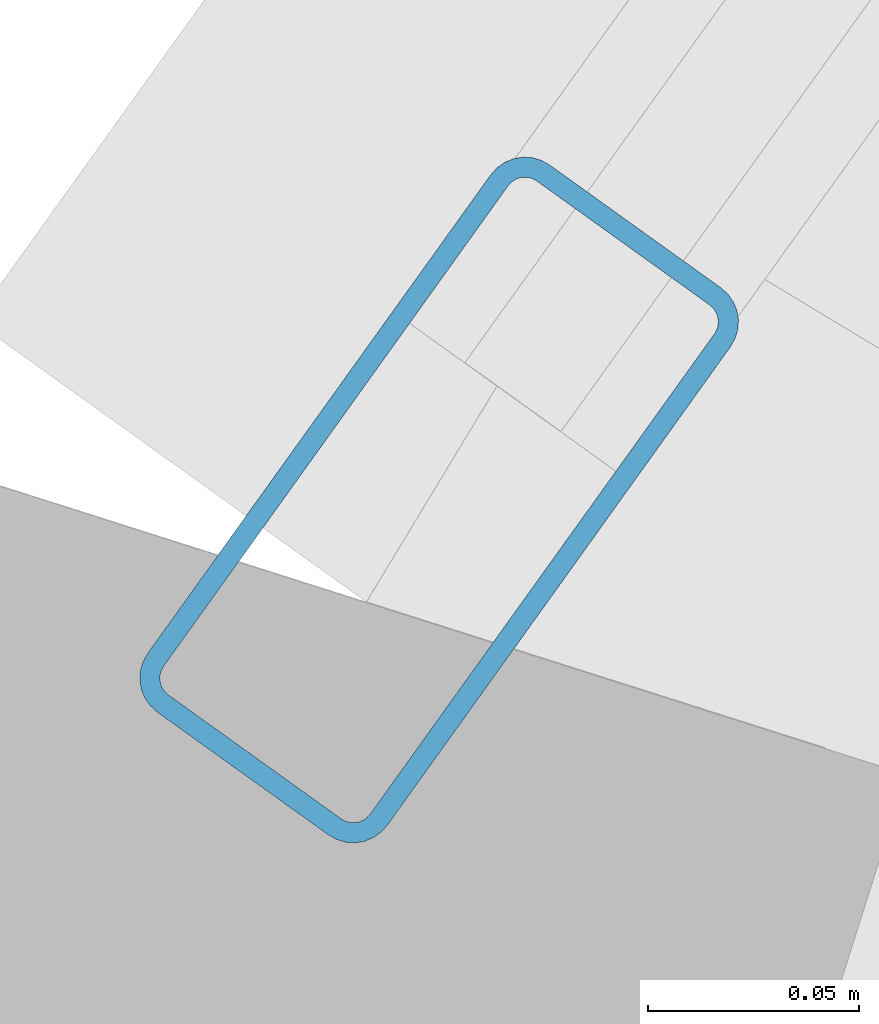
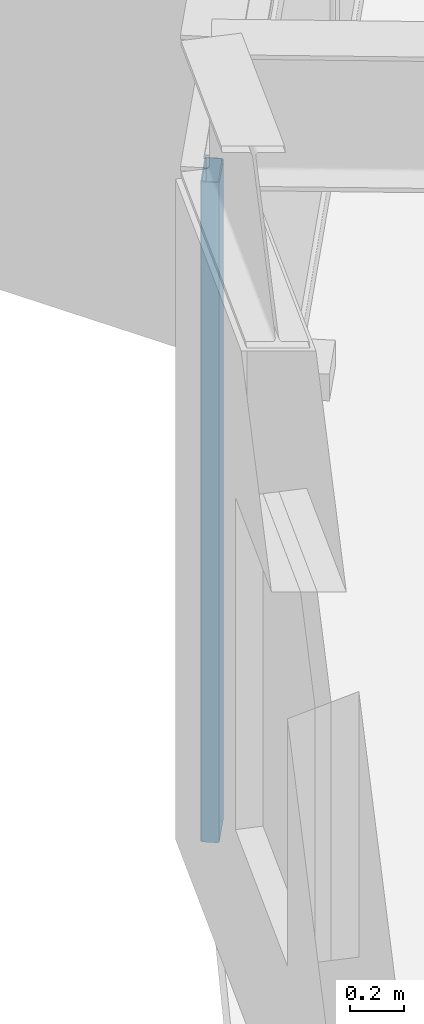
# One storey, part 8 of 27: 1 member, 1 element without a shape of its own.
"""IFC4 building model written with IfcOpenShell, lengths in metres."""

from ifc_helpers import new_model, si_unit, direction, frame, origin, origin_2d, place, context, subcontext, project, spatial, hollow_rectangle, extrude, material, layer, layer_set, material_profile, profile_set, type_object, element, aggregate, save


model = new_model("IFC4")

# Units and contexts
model_context = context("Model", 3, precision=1e-05, world=origin(), true_north=direction((0.0, 1.0)))
body_context = subcontext(model_context, "Body", "Model", "MODEL_VIEW")
ifc_project = project(units=[si_unit("LENGTHUNIT", "METRE"), si_unit("AREAUNIT", "SQUARE_METRE"), si_unit("VOLUMEUNIT", "CUBIC_METRE"), si_unit("PLANEANGLEUNIT", "RADIAN"), si_unit("MASSUNIT", "GRAM", prefix="KILO")], contexts=[model_context])

# Site, building, storey
site_placement = place(None, origin())
site = spatial("IfcSite", under=ifc_project, at=site_placement, CompositionType="ELEMENT")
building_placement = place(site_placement, origin())
building = spatial("IfcBuilding", under=site, at=building_placement, Name="Soratama Intermodal Tower", CompositionType="ELEMENT")
storey_placement = place(building_placement, frame((0.0, 0.0, 99.10009765625)))
storey = spatial("IfcBuildingStorey", under=building, at=storey_placement, Name="L23", CompositionType="ELEMENT", Elevation=99.10009765625)

# Curtain wall, member
ifc_material_1 = material(Name="Double-glazed aluminium curtain wall", Category="aluminium")
ifc_layer = layer(ifc_material_1, 0.159912109375)
ifc_layer_set = layer_set([ifc_layer], Name="Double-glazed aluminium curtain wall")
curtain_wall_type = type_object("IfcCurtainWallType", Name="CW-SYS-3", PredefinedType="NOTDEFINED", material=ifc_layer_set)
curtain_wall_placement = place(storey_placement, origin())
curtain_wall = element("IfcCurtainWall", 1, at=curtain_wall_placement, inside=storey, type_object=curtain_wall_type, Name="L23 Faceted Curtain Wall F04", PredefinedType="NOTDEFINED")
ifc_material_2 = material(Name="Anodised aluminium AA 6063-T6", Category="aluminium")
ifc_material_profile = material_profile(ifc_material_2, hollow_rectangle(XDim=0.070068359375, YDim=0.159912109375, WallThickness=0.0048828125, InnerFilletRadius=0.0048828125, OuterFilletRadius=0.010009765625, at=origin_2d()), Name="CWM160X70X5")
ifc_profile_set = profile_set([ifc_material_profile], Name="Anodised aluminium AA 6063-T6")
member_type = type_object("IfcMemberType", Name="MT-CWM-3", PredefinedType="MULLION", material=ifc_profile_set)
member_placement = place(storey_placement, frame((27.537353515625, 32.13916015625, 0.0), z_axis=(0.0, 0.0, 1.0), x_axis=(0.812696409232, -0.582687348774, 0.0)))
member = element("IfcMember", 2, at=member_placement, type_object=member_type, Name="CW-3 mullion 3", PredefinedType="MULLION", context=body_context, shape_type="SweptSolid", body=[
    extrude(hollow_rectangle(XDim=0.070068359375, YDim=0.159912109375, WallThickness=0.0048828125, InnerFilletRadius=0.0048828125, OuterFilletRadius=0.010009765625, at=origin_2d()), origin(), (0.0, 0.0, 1.0), 2.97900390625),
])
aggregate(curtain_wall, [member])

save(model, "model.ifc")
